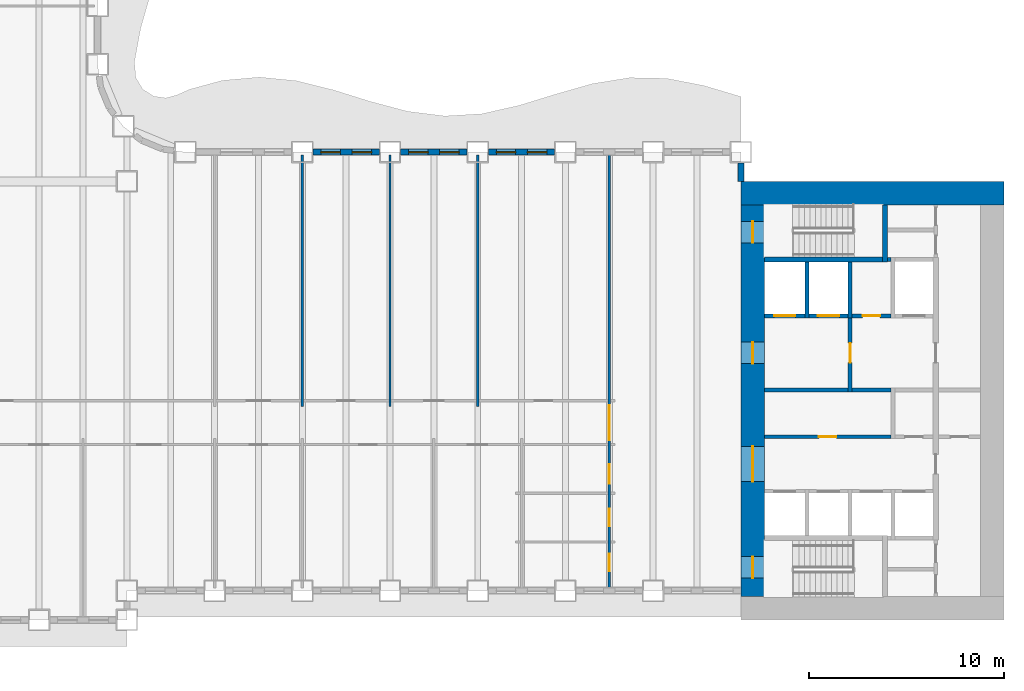
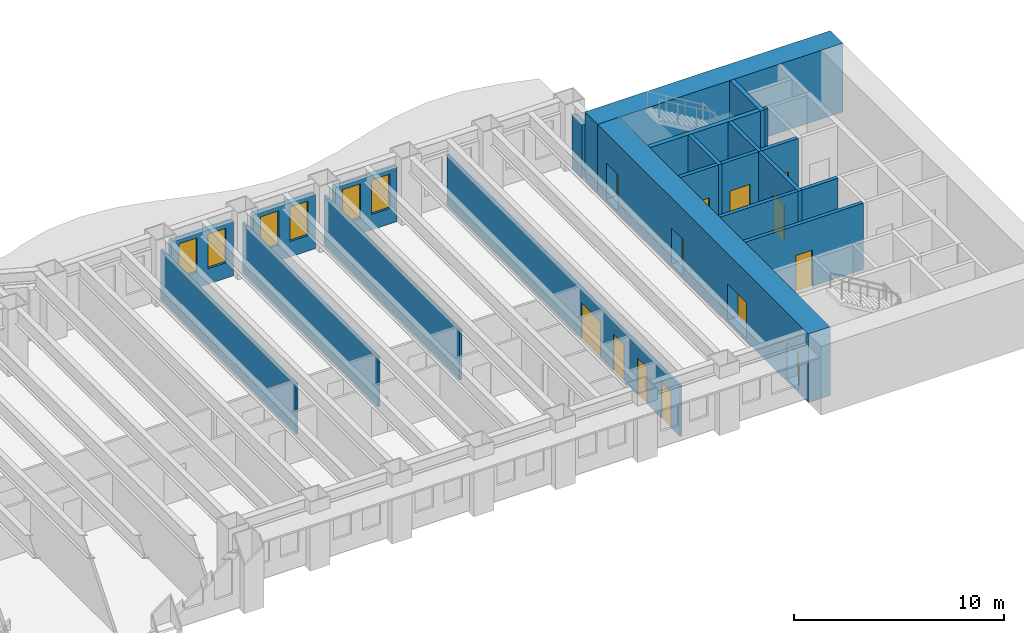
# One storey, part 6 of 16: 22 walls, 13 doors, 6 windows, 19 openings.
"""IFC4 building model written with IfcOpenShell, lengths in metres."""

from ifc_helpers import new_model, si_unit, direction, frame, frame_2d, origin, place, context, subcontext, project, spatial, rectangle, extrude, material, layer, layer_set, type_object, element, fill, save


model = new_model("IFC4")

# Units and contexts
model_context = context("Model", 3, precision=1e-05, world=origin(), true_north=direction((0.0, 1.0)))
body_context = subcontext(model_context, "Body", "Model", "MODEL_VIEW")
ifc_project = project(units=[si_unit("LENGTHUNIT", "METRE"), si_unit("AREAUNIT", "SQUARE_METRE"), si_unit("VOLUMEUNIT", "CUBIC_METRE"), si_unit("PLANEANGLEUNIT", "RADIAN"), si_unit("MASSUNIT", "GRAM", prefix="KILO")], contexts=[model_context])

# Site, building, storey
site_placement = place(None, origin())
site = spatial("IfcSite", under=ifc_project, at=site_placement, CompositionType="ELEMENT")
building_placement = place(site_placement, origin())
building = spatial("IfcBuilding", under=site, at=building_placement, Name="Sennacour Bend Tower", CompositionType="ELEMENT")
storey_placement = place(building_placement, frame((0.0, 0.0, 69.0)))
storey = spatial("IfcBuildingStorey", under=building, at=storey_placement, Name="L15", CompositionType="ELEMENT", Elevation=69.0)

# Wall
ifc_material_1 = material(Name="Concrete C80/95", Category="concrete")
ifc_layer_1 = layer(ifc_material_1, 1.199951171875, Name="Concrete C80/95", Category="concrete")
ifc_layer_set_1 = layer_set([ifc_layer_1], Name="Concrete C80/95")
wall_type_1 = type_object("IfcWallType", Name="Core wall 1200 C80/95", PredefinedType="SHEAR", material=ifc_layer_set_1)
wall_1_placement = place(storey_placement, frame((54.0, 21.89990234375, -0.14990234375), z_axis=(0.0, 0.0, 1.0), x_axis=(1.0, 0.0, 0.0)))
element("IfcWall", 1, at=wall_1_placement, inside=storey, type_object=wall_type_1, Name="Core A wall L15 N", PredefinedType="SHEAR", context=body_context, shape_type="SweptSolid", body=[
    extrude(rectangle(XDim=13.5, YDim=1.199951171875, at=frame_2d((6.75, 0.0))), origin(), (0.0, 0.0, 1.0), 4.0),
])

# Wall, openings, doors
wall_2_placement = place(storey_placement, frame((54.60009765625, 1.199951171875, -0.14990234375), z_axis=(0.0, 0.0, 1.0), x_axis=(0.0, 1.0, 0.0)))
wall_2 = element("IfcWall", 2, at=wall_2_placement, inside=storey, type_object=wall_type_1, Name="Core A wall L15 W", PredefinedType="SHEAR", context=body_context, shape_type="SweptSolid", body=[
    extrude(rectangle(XDim=20.10009765625, YDim=1.199951171875, at=frame_2d((10.050048828125, 0.0))), origin(), (0.0, 0.0, 1.0), 4.0),
])
opening_1_placement = place(wall_2_placement, frame((5.89990234375, 0.0, 0.14990234375)))
opening_1 = element("IfcOpeningElement", 3, at=opening_1_placement, cuts=wall_2, Name="Opening CD", PredefinedType="OPENING", context=body_context, shape_type="SweptSolid", body=[
    extrude(rectangle(XDim=1.800048828125, YDim=2.10009765625, at=frame_2d((0.89990234375, 1.050048828125))), frame((0.0, 0.60986328125, 0.0), z_axis=(0.0, -1.0, 0.0), x_axis=(1.0, 0.0, 0.0)), (0.0, 0.0, 1.0), 1.219970703125),
])
opening_2_placement = place(wall_2_placement, frame((11.949951171875, 0.0, 0.14990234375)))
opening_2 = element("IfcOpeningElement", 4, at=opening_2_placement, cuts=wall_2, Name="Opening FD", PredefinedType="OPENING", context=body_context, shape_type="SweptSolid", body=[
    extrude(rectangle(XDim=1.10009765625, YDim=2.10009765625, at=frame_2d((0.550048828125, 1.050048828125))), frame((0.0, 0.60986328125, 0.0), z_axis=(0.0, -1.0, 0.0), x_axis=(1.0, 0.0, 0.0)), (0.0, 0.0, 1.0), 1.219970703125),
])
opening_3_placement = place(wall_2_placement, frame((0.949951171875, 0.0, 0.14990234375)))
opening_3 = element("IfcOpeningElement", 5, at=opening_3_placement, cuts=wall_2, Name="Opening SD", PredefinedType="OPENING", context=body_context, shape_type="SweptSolid", body=[
    extrude(rectangle(XDim=1.10009765625, YDim=2.10009765625, at=frame_2d((0.550048828125, 1.050048828125))), frame((0.0, 0.60986328125, 0.0), z_axis=(0.0, -1.0, 0.0), x_axis=(1.0, 0.0, 0.0)), (0.0, 0.0, 1.0), 1.219970703125),
])
opening_4_placement = place(wall_2_placement, frame((18.14990234375, 0.0, 0.14990234375)))
opening_4 = element("IfcOpeningElement", 6, at=opening_4_placement, cuts=wall_2, Name="Opening SD", PredefinedType="OPENING", context=body_context, shape_type="SweptSolid", body=[
    extrude(rectangle(XDim=1.10009765625, YDim=2.10009765625, at=frame_2d((0.550048828125, 1.050048828125))), frame((0.0, 0.60986328125, 0.0), z_axis=(0.0, -1.0, 0.0), x_axis=(1.0, 0.0, 0.0)), (0.0, 0.0, 1.0), 1.219970703125),
])
ifc_material_2 = material(Name="Painted steel", Category="steel")
door_type_1 = type_object("IfcDoorType", Name="DR-FFL-1100", OperationType="NOTDEFINED", PredefinedType="DOOR", material=ifc_material_2)
door_1_placement = place(opening_2_placement, origin())
door_1 = element("IfcDoor", 7, at=door_1_placement, inside=storey, type_object=door_type_1, Name="Door", OperationType="SINGLE_SWING_RIGHT", OverallHeight=2.10009765625, OverallWidth=1.10009765625, PredefinedType="DOOR", context=body_context, shape_type="SweptSolid", body=[
    extrude(rectangle(XDim=1.10009765625, YDim=2.10009765625, at=frame_2d((0.550048828125, 1.050048828125))), frame((0.0, 0.02490234375, 0.0), z_axis=(0.0, -1.0, 0.0), x_axis=(1.0, 0.0, 0.0)), (0.0, 0.0, 1.0), 0.050048828125),
])
fill(opening_2, door_1)
door_type_2 = type_object("IfcDoorType", Name="DR-LOBBY-1800", OperationType="NOTDEFINED", PredefinedType="DOOR", material=ifc_material_2)
door_2_placement = place(opening_1_placement, origin())
door_2 = element("IfcDoor", 8, at=door_2_placement, inside=storey, type_object=door_type_2, Name="Door", OperationType="DOUBLE_DOOR_SINGLE_SWING", OverallHeight=2.10009765625, OverallWidth=1.800048828125, PredefinedType="DOOR", context=body_context, shape_type="SweptSolid", body=[
    extrude(rectangle(XDim=1.800048828125, YDim=2.10009765625, at=frame_2d((0.89990234375, 1.050048828125))), frame((0.0, 0.02490234375, 0.0), z_axis=(0.0, -1.0, 0.0), x_axis=(1.0, 0.0, 0.0)), (0.0, 0.0, 1.0), 0.050048828125),
])
fill(opening_1, door_2)
door_type_3 = type_object("IfcDoorType", Name="DR-STAIR-1100", OperationType="NOTDEFINED", PredefinedType="DOOR", material=ifc_material_2)
door_3_placement = place(opening_3_placement, origin())
door_3 = element("IfcDoor", 9, at=door_3_placement, inside=storey, type_object=door_type_3, Name="Door", OperationType="SINGLE_SWING_LEFT", OverallHeight=2.10009765625, OverallWidth=1.10009765625, PredefinedType="DOOR", context=body_context, shape_type="SweptSolid", body=[
    extrude(rectangle(XDim=1.10009765625, YDim=2.10009765625, at=frame_2d((0.550048828125, 1.050048828125))), frame((0.0, 0.02490234375, 0.0), z_axis=(0.0, -1.0, 0.0), x_axis=(1.0, 0.0, 0.0)), (0.0, 0.0, 1.0), 0.050048828125),
])
fill(opening_3, door_3)
door_4_placement = place(opening_4_placement, origin())
door_4 = element("IfcDoor", 10, at=door_4_placement, inside=storey, type_object=door_type_3, Name="Door", OperationType="SINGLE_SWING_RIGHT", OverallHeight=2.10009765625, OverallWidth=1.10009765625, PredefinedType="DOOR", context=body_context, shape_type="SweptSolid", body=[
    extrude(rectangle(XDim=1.10009765625, YDim=2.10009765625, at=frame_2d((0.550048828125, 1.050048828125))), frame((0.0, 0.02490234375, 0.0), z_axis=(0.0, -1.0, 0.0), x_axis=(1.0, 0.0, 0.0)), (0.0, 0.0, 1.0), 0.050048828125),
])
fill(opening_4, door_4)

# Walls
ifc_material_3 = material(Name="Plasterboard partition on steel studs", Category="steel")
ifc_layer_2 = layer(ifc_material_3, 0.1201171875, Name="Plasterboard partition on steel studs", Category="steel")
ifc_layer_set_2 = layer_set([ifc_layer_2], Name="Plasterboard partition on steel studs")
wall_type_2 = type_object("IfcWallType", Name="Partition 120", PredefinedType="PARTITIONING", material=ifc_layer_set_2)
for number, where, z_axis, x_axis, name in (
    (11, (31.5, 10.949951171875, 0.0), (0.0, 0.0, 1.0), (0.0, 1.0, 0.0), "P-L15-W029a"),
    (12, (36.0, 10.949951171875, 0.0), (0.0, 0.0, 1.0), (0.0, 1.0, 0.0), "P-L15-W030a"),
    (13, (40.5, 10.949951171875, 0.0), (0.0, 0.0, 1.0), (0.0, 1.0, 0.0), "P-L15-W032a"),
):
    element("IfcWall", number, at=place(storey_placement, frame(where, z_axis=z_axis, x_axis=x_axis)), inside=storey, type_object=wall_type_2, Name=name, PredefinedType="PARTITIONING", context=body_context, shape_type="SweptSolid", body=[
        extrude(rectangle(XDim=12.900146484375, YDim=0.1201171875, at=frame_2d((6.4501953125, 0.0))), origin(), (0.0, 0.0, 1.0), 2.93798828125),
    ])

# Wall, openings, doors
ifc_layer_3 = layer(ifc_material_3, 0.1201171875, Name="Plasterboard partition on steel studs", Category="steel")
ifc_layer_set_3 = layer_set([ifc_layer_3], Name="Plasterboard partition on steel studs")
wall_type_3 = type_object("IfcWallType", Name="Partition 120 EI 30", PredefinedType="PARTITIONING", material=ifc_layer_set_3)
wall_3_placement = place(storey_placement, frame((47.25, 1.64990234375, 0.0), z_axis=(0.0, 0.0, 1.0), x_axis=(0.0, 1.0, 0.0)))
wall_3 = element("IfcWall", 14, at=wall_3_placement, inside=storey, type_object=wall_type_3, Name="P-L15-W034a", PredefinedType="PARTITIONING", context=body_context, shape_type="SweptSolid", body=[
    extrude(rectangle(XDim=22.2001953125, YDim=0.1201171875, at=frame_2d((11.10009765625, 0.0))), origin(), (0.0, 0.0, 1.0), 2.93798828125),
])
opening_5_placement = place(wall_3_placement, frame((7.5751953125, 0.0, 0.0)))
opening_5 = element("IfcOpeningElement", 15, at=opening_5_placement, cuts=wall_3, Name="Opening KD3", PredefinedType="OPENING", context=body_context, shape_type="SweptSolid", body=[
    extrude(rectangle(XDim=1.800048828125, YDim=2.10009765625, at=frame_2d((0.89990234375, 1.050048828125))), frame((0.0, 0.070068359375, 0.0), z_axis=(0.0, -1.0, 0.0), x_axis=(1.0, 0.0, 0.0)), (0.0, 0.0, 1.0), 0.14013671875),
])
opening_6_placement = place(wall_3_placement, frame((0.85009765625, 0.0, 0.0)))
opening_6 = element("IfcOpeningElement", 16, at=opening_6_placement, cuts=wall_3, Name="Opening WD", PredefinedType="OPENING", context=body_context, shape_type="SweptSolid", body=[
    extrude(rectangle(XDim=0.89990234375, YDim=2.10009765625, at=frame_2d((0.449951171875, 1.050048828125))), frame((0.0, 0.070068359375, 0.0), z_axis=(0.0, -1.0, 0.0), x_axis=(1.0, 0.0, 0.0)), (0.0, 0.0, 1.0), 0.14013671875),
])
opening_7_placement = place(wall_3_placement, frame((3.150146484375, 0.0, 0.0)))
opening_7 = element("IfcOpeningElement", 17, at=opening_7_placement, cuts=wall_3, Name="Opening WD", PredefinedType="OPENING", context=body_context, shape_type="SweptSolid", body=[
    extrude(rectangle(XDim=0.89990234375, YDim=2.10009765625, at=frame_2d((0.449951171875, 1.050048828125))), frame((0.0, 0.070068359375, 0.0), z_axis=(0.0, -1.0, 0.0), x_axis=(1.0, 0.0, 0.0)), (0.0, 0.0, 1.0), 0.14013671875),
])
opening_8_placement = place(wall_3_placement, frame((5.35009765625, 0.0, 0.0)))
opening_8 = element("IfcOpeningElement", 18, at=opening_8_placement, cuts=wall_3, Name="Opening AD", PredefinedType="OPENING", context=body_context, shape_type="SweptSolid", body=[
    extrude(rectangle(XDim=1.0, YDim=2.10009765625, at=frame_2d((0.5, 1.050048828125))), frame((0.0, 0.070068359375, 0.0), z_axis=(0.0, -1.0, 0.0), x_axis=(1.0, 0.0, 0.0)), (0.0, 0.0, 1.0), 0.14013671875),
])
ifc_material_4 = material(Name="Timber", Category="wood")
door_type_4 = type_object("IfcDoorType", Name="DR-ACC-WC-1000", OperationType="NOTDEFINED", PredefinedType="DOOR", material=ifc_material_4)
door_5_placement = place(opening_8_placement, origin())
door_5 = element("IfcDoor", 19, at=door_5_placement, inside=storey, type_object=door_type_4, Name="Door", OperationType="SINGLE_SWING_LEFT", OverallHeight=2.10009765625, OverallWidth=1.0, PredefinedType="DOOR", context=body_context, shape_type="SweptSolid", body=[
    extrude(rectangle(XDim=1.0, YDim=2.10009765625, at=frame_2d((0.5, 1.050048828125))), frame((0.0, 0.02490234375, 0.0), z_axis=(0.0, -1.0, 0.0), x_axis=(1.0, 0.0, 0.0)), (0.0, 0.0, 1.0), 0.050048828125),
])
fill(opening_8, door_5)
door_type_5 = type_object("IfcDoorType", Name="DR-CORRIDOR-1800", OperationType="NOTDEFINED", PredefinedType="DOOR", material=ifc_material_2)
door_6_placement = place(opening_5_placement, origin())
door_6 = element("IfcDoor", 20, at=door_6_placement, inside=storey, type_object=door_type_5, Name="Door", OperationType="DOUBLE_DOOR_SINGLE_SWING", OverallHeight=2.10009765625, OverallWidth=1.800048828125, PredefinedType="DOOR", context=body_context, shape_type="SweptSolid", body=[
    extrude(rectangle(XDim=1.800048828125, YDim=2.10009765625, at=frame_2d((0.89990234375, 1.050048828125))), frame((0.0, 0.02490234375, 0.0), z_axis=(0.0, -1.0, 0.0), x_axis=(1.0, 0.0, 0.0)), (0.0, 0.0, 1.0), 0.050048828125),
])
fill(opening_5, door_6)
door_type_6 = type_object("IfcDoorType", Name="DR-WC-900", OperationType="NOTDEFINED", PredefinedType="DOOR", material=ifc_material_4)
door_7_placement = place(opening_6_placement, origin())
door_7 = element("IfcDoor", 21, at=door_7_placement, inside=storey, type_object=door_type_6, Name="Door", OperationType="SINGLE_SWING_LEFT", OverallHeight=2.10009765625, OverallWidth=0.89990234375, PredefinedType="DOOR", context=body_context, shape_type="SweptSolid", body=[
    extrude(rectangle(XDim=0.89990234375, YDim=2.10009765625, at=frame_2d((0.449951171875, 1.050048828125))), frame((0.0, 0.02490234375, 0.0), z_axis=(0.0, -1.0, 0.0), x_axis=(1.0, 0.0, 0.0)), (0.0, 0.0, 1.0), 0.050048828125),
])
fill(opening_6, door_7)
door_8_placement = place(opening_7_placement, origin())
door_8 = element("IfcDoor", 22, at=door_8_placement, inside=storey, type_object=door_type_6, Name="Door", OperationType="SINGLE_SWING_LEFT", OverallHeight=2.10009765625, OverallWidth=0.89990234375, PredefinedType="DOOR", context=body_context, shape_type="SweptSolid", body=[
    extrude(rectangle(XDim=0.89990234375, YDim=2.10009765625, at=frame_2d((0.449951171875, 1.050048828125))), frame((0.0, 0.02490234375, 0.0), z_axis=(0.0, -1.0, 0.0), x_axis=(1.0, 0.0, 0.0)), (0.0, 0.0, 1.0), 0.050048828125),
])
fill(opening_7, door_8)

# Wall, opening, door
ifc_material_5 = material(Name="Fire-rated plasterboard partition on steel studs", Category="steel")
ifc_layer_4 = layer(ifc_material_5, 0.199951171875, Name="Fire-rated plasterboard partition on steel studs", Category="steel")
ifc_layer_set_4 = layer_set([ifc_layer_4], Name="Fire-rated plasterboard partition on steel studs")
wall_type_4 = type_object("IfcWallType", Name="Rated partition 200", PredefinedType="PARTITIONING", material=ifc_layer_set_4)
wall_4_placement = place(storey_placement, frame((55.199951171875, 9.39990234375, 0.0), z_axis=(0.0, 0.0, 1.0), x_axis=(1.0, 0.0, 0.0)))
wall_4 = element("IfcWall", 23, at=wall_4_placement, inside=storey, type_object=wall_type_4, Name="P-L15-W062a", PredefinedType="PARTITIONING", context=body_context, shape_type="SweptSolid", body=[
    extrude(rectangle(XDim=6.5, YDim=0.199951171875, at=frame_2d((3.25, 0.0))), origin(), (0.0, 0.0, 1.0), 3.85009765625),
])
opening_9_placement = place(wall_4_placement, frame((2.800048828125, 0.0, 0.0)))
opening_9 = element("IfcOpeningElement", 24, at=opening_9_placement, cuts=wall_4, Name="Opening SV", PredefinedType="OPENING", context=body_context, shape_type="SweptSolid", body=[
    extrude(rectangle(XDim=0.89990234375, YDim=2.10009765625, at=frame_2d((0.449951171875, 1.050048828125))), frame((0.0, 0.10986328125, 0.0), z_axis=(0.0, -1.0, 0.0), x_axis=(1.0, 0.0, 0.0)), (0.0, 0.0, 1.0), 0.219970703125),
])
door_type_7 = type_object("IfcDoorType", Name="DR-SERVICE-900", OperationType="NOTDEFINED", PredefinedType="DOOR", material=ifc_material_2)
door_9_placement = place(opening_9_placement, origin())
door_9 = element("IfcDoor", 25, at=door_9_placement, inside=storey, type_object=door_type_7, Name="Door", OperationType="SINGLE_SWING_LEFT", OverallHeight=2.10009765625, OverallWidth=0.89990234375, PredefinedType="DOOR", context=body_context, shape_type="SweptSolid", body=[
    extrude(rectangle(XDim=0.89990234375, YDim=2.10009765625, at=frame_2d((0.449951171875, 1.050048828125))), frame((0.0, 0.02490234375, 0.0), z_axis=(0.0, -1.0, 0.0), x_axis=(1.0, 0.0, 0.0)), (0.0, 0.0, 1.0), 0.050048828125),
])
fill(opening_9, door_9)

# Walls
wall_5_placement = place(storey_placement, frame((55.199951171875, 11.800048828125, 0.0), z_axis=(0.0, 0.0, 1.0), x_axis=(1.0, 0.0, 0.0)))
element("IfcWall", 26, at=wall_5_placement, inside=storey, type_object=wall_type_4, Name="P-L15-W064a", PredefinedType="PARTITIONING", context=body_context, shape_type="SweptSolid", body=[
    extrude(rectangle(XDim=4.300048828125, YDim=0.199951171875, at=frame_2d((2.14990234375, 0.0))), origin(), (0.0, 0.0, 1.0), 3.85009765625),
])
wall_6_placement = place(storey_placement, frame((59.699951171875, 11.800048828125, 0.0), z_axis=(0.0, 0.0, 1.0), x_axis=(1.0, 0.0, 0.0)))
element("IfcWall", 27, at=wall_6_placement, inside=storey, type_object=wall_type_4, Name="P-L15-W064b", PredefinedType="PARTITIONING", context=body_context, shape_type="SweptSolid", body=[
    extrude(rectangle(XDim=2.0, YDim=0.199951171875, at=frame_2d((1.0, 0.0))), origin(), (0.0, 0.0, 1.0), 3.85009765625),
])

# Wall, opening, door
wall_7_placement = place(storey_placement, frame((59.699951171875, 15.60009765625, 0.0), z_axis=(0.0, 0.0, 1.0), x_axis=(1.0, 0.0, 0.0)))
wall_7 = element("IfcWall", 28, at=wall_7_placement, inside=storey, type_object=wall_type_4, Name="P-L15-W066", PredefinedType="PARTITIONING", context=body_context, shape_type="SweptSolid", body=[
    extrude(rectangle(XDim=2.0, YDim=0.199951171875, at=frame_2d((1.0, 0.0))), origin(), (0.0, 0.0, 1.0), 3.85009765625),
])
opening_10_placement = place(wall_7_placement, frame((0.550048828125, 0.0, 0.0)))
opening_10 = element("IfcOpeningElement", 29, at=opening_10_placement, cuts=wall_7, Name="Opening SV", PredefinedType="OPENING", context=body_context, shape_type="SweptSolid", body=[
    extrude(rectangle(XDim=0.89990234375, YDim=2.10009765625, at=frame_2d((0.449951171875, 1.050048828125))), frame((0.0, 0.10986328125, 0.0), z_axis=(0.0, -1.0, 0.0), x_axis=(1.0, 0.0, 0.0)), (0.0, 0.0, 1.0), 0.219970703125),
])
door_10_placement = place(opening_10_placement, origin())
door_10 = element("IfcDoor", 30, at=door_10_placement, inside=storey, type_object=door_type_7, Name="Door", OperationType="SINGLE_SWING_RIGHT", OverallHeight=2.10009765625, OverallWidth=0.89990234375, PredefinedType="DOOR", context=body_context, shape_type="SweptSolid", body=[
    extrude(rectangle(XDim=0.89990234375, YDim=2.10009765625, at=frame_2d((0.449951171875, 1.050048828125))), frame((0.0, 0.02490234375, 0.0), z_axis=(0.0, -1.0, 0.0), x_axis=(1.0, 0.0, 0.0)), (0.0, 0.0, 1.0), 0.050048828125),
])
fill(opening_10, door_10)

# Wall
wall_8_placement = place(storey_placement, frame((61.52490234375, 18.5, 0.0), z_axis=(0.0, 0.0, 1.0), x_axis=(1.0, 0.0, 0.0)))
element("IfcWall", 31, at=wall_8_placement, inside=storey, type_object=wall_type_4, Name="P-L15-W069", PredefinedType="PARTITIONING", context=body_context, shape_type="SweptSolid", body=[
    extrude(rectangle(XDim=0.175048828125, YDim=0.199951171875, at=frame_2d((0.08740234375, 0.0))), origin(), (0.0, 0.0, 1.0), 3.85009765625),
])

# Wall, opening, door
ifc_layer_5 = layer(ifc_material_5, 0.199951171875, Name="Fire-rated plasterboard partition on steel studs", Category="steel")
ifc_layer_set_5 = layer_set([ifc_layer_5], Name="Fire-rated plasterboard partition on steel studs")
wall_type_5 = type_object("IfcWallType", Name="Rated partition 200 EI 90", PredefinedType="PARTITIONING", material=ifc_layer_set_5)
wall_9_placement = place(storey_placement, frame((59.60009765625, 11.699951171875, 0.0), z_axis=(0.0, 0.0, 1.0), x_axis=(0.0, 1.0, 0.0)))
wall_9 = element("IfcWall", 32, at=wall_9_placement, inside=storey, type_object=wall_type_5, Name="P-L15-W039", PredefinedType="PARTITIONING", context=body_context, shape_type="SweptSolid", body=[
    extrude(rectangle(XDim=3.800048828125, YDim=0.199951171875, at=frame_2d((1.89990234375, 0.0))), origin(), (0.0, 0.0, 1.0), 3.85009765625),
])
opening_11_placement = place(wall_9_placement, frame((1.5, 0.0, 0.0)))
opening_11 = element("IfcOpeningElement", 33, at=opening_11_placement, cuts=wall_9, Name="Opening FD2", PredefinedType="OPENING", context=body_context, shape_type="SweptSolid", body=[
    extrude(rectangle(XDim=1.0, YDim=2.10009765625, at=frame_2d((0.5, 1.050048828125))), frame((0.0, 0.10986328125, 0.0), z_axis=(0.0, -1.0, 0.0), x_axis=(1.0, 0.0, 0.0)), (0.0, 0.0, 1.0), 0.219970703125),
])
door_type_8 = type_object("IfcDoorType", Name="DR-FFL-1000", OperationType="NOTDEFINED", PredefinedType="DOOR", material=ifc_material_2)
door_11_placement = place(opening_11_placement, origin())
door_11 = element("IfcDoor", 34, at=door_11_placement, inside=storey, type_object=door_type_8, Name="Door", OperationType="SINGLE_SWING_RIGHT", OverallHeight=2.10009765625, OverallWidth=1.0, PredefinedType="DOOR", context=body_context, shape_type="SweptSolid", body=[
    extrude(rectangle(XDim=1.0, YDim=2.10009765625, at=frame_2d((0.5, 1.050048828125))), frame((0.0, 0.02490234375, 0.0), z_axis=(0.0, -1.0, 0.0), x_axis=(1.0, 0.0, 0.0)), (0.0, 0.0, 1.0), 0.050048828125),
])
fill(opening_11, door_11)

# Wall
ifc_material_6 = material(Name="Warm limestone cladding", Category="masonry")
ifc_layer_6 = layer(ifc_material_6, 0.050048828125, Name="Warm limestone cladding", Category="masonry")
ifc_material_7 = material(Name="Precast concrete C40/50", Category="concrete")
ifc_layer_7 = layer(ifc_material_7, 0.25, Name="Precast concrete C40/50", Category="concrete")
ifc_layer_set_6 = layer_set([ifc_layer_6, ifc_layer_7], Name="Precast concrete C40/50 with limestone cladding")
wall_type_6 = type_object("IfcWallType", Name="STONE-CLAD PRECAST SPANDREL 300", PredefinedType="STANDARD", material=ifc_layer_set_6)
wall_10_placement = place(storey_placement, frame((54.0, 22.5, 0.0), z_axis=(0.0, 0.0, 1.0), x_axis=(0.0, 1.0, 0.0)))
element("IfcWall", 35, at=wall_10_placement, inside=storey, type_object=wall_type_6, Name="Stone spandrel and pier wall L15 07.00", PredefinedType="STANDARD", context=body_context, shape_type="SweptSolid", body=[
    extrude(rectangle(XDim=0.949951171875, YDim=0.300048828125, at=frame_2d((0.47509765625, 0.0))), origin(), (0.0, 0.0, 1.0), 3.14404296875),
])

# Wall, openings, windows
wall_11_placement = place(storey_placement, frame((44.449951171875, 24.0, 0.0), z_axis=(0.0, 0.0, 1.0), x_axis=(-1.0, 0.0, 0.0)))
wall_11 = element("IfcWall", 36, at=wall_11_placement, inside=storey, type_object=wall_type_6, Name="Stone spandrel and pier wall L15 08.02", PredefinedType="STANDARD", context=body_context, shape_type="SweptSolid", body=[
    extrude(rectangle(XDim=3.39990234375, YDim=0.300048828125, at=frame_2d((1.699951171875, 0.0))), origin(), (0.0, 0.0, 1.0), 3.14404296875),
])
opening_12_placement = place(wall_11_placement, frame((0.39990234375, 0.0, 0.89990234375)))
opening_12 = element("IfcOpeningElement", 37, at=opening_12_placement, cuts=wall_11, Name="Opening W8", PredefinedType="OPENING", context=body_context, shape_type="SweptSolid", body=[
    extrude(rectangle(XDim=1.0, YDim=2.0, at=frame_2d((0.5, 1.0))), frame((0.0, 0.16015625, 0.0), z_axis=(0.0, -1.0, 0.0), x_axis=(1.0, 0.0, 0.0)), (0.0, 0.0, 1.0), 0.320068359375),
])
opening_13_placement = place(wall_11_placement, frame((2.0, 0.0, 0.89990234375)))
opening_13 = element("IfcOpeningElement", 38, at=opening_13_placement, cuts=wall_11, Name="Opening W8", PredefinedType="OPENING", context=body_context, shape_type="SweptSolid", body=[
    extrude(rectangle(XDim=1.0, YDim=2.0, at=frame_2d((0.5, 1.0))), frame((0.0, 0.16015625, 0.0), z_axis=(0.0, -1.0, 0.0), x_axis=(1.0, 0.0, 0.0)), (0.0, 0.0, 1.0), 0.320068359375),
])
ifc_material_8 = material(Name="Clear low-emissivity glass", Category="glass")
window_type = type_object("IfcWindowType", Name="WIN-RIBBON-1000x2000", PartitioningType="SINGLE_PANEL", PredefinedType="WINDOW", material=ifc_material_8)
window_1_placement = place(opening_12_placement, origin())
window_1 = element("IfcWindow", 39, at=window_1_placement, inside=storey, type_object=window_type, Name="Ribbon window L15 08.02.0", OverallHeight=2.0, OverallWidth=1.0, PartitioningType="SINGLE_PANEL", PredefinedType="WINDOW", context=body_context, shape_type="SweptSolid", body=[
    extrude(rectangle(XDim=1.0, YDim=2.0, at=frame_2d((0.5, 1.0))), frame((0.0, 0.030029296875, 0.0), z_axis=(0.0, -1.0, 0.0), x_axis=(1.0, 0.0, 0.0)), (0.0, 0.0, 1.0), 0.06005859375),
])
fill(opening_12, window_1)
window_2_placement = place(opening_13_placement, origin())
window_2 = element("IfcWindow", 40, at=window_2_placement, inside=storey, type_object=window_type, Name="Ribbon window L15 08.02.1", OverallHeight=2.0, OverallWidth=1.0, PartitioningType="SINGLE_PANEL", PredefinedType="WINDOW", context=body_context, shape_type="SweptSolid", body=[
    extrude(rectangle(XDim=1.0, YDim=2.0, at=frame_2d((0.5, 1.0))), frame((0.0, 0.030029296875, 0.0), z_axis=(0.0, -1.0, 0.0), x_axis=(1.0, 0.0, 0.0)), (0.0, 0.0, 1.0), 0.06005859375),
])
fill(opening_13, window_2)

wall_12_placement = place(storey_placement, frame((39.949951171875, 24.0, 0.0), z_axis=(0.0, 0.0, 1.0), x_axis=(-1.0, 0.0, 0.0)))
wall_12 = element("IfcWall", 41, at=wall_12_placement, inside=storey, type_object=wall_type_6, Name="Stone spandrel and pier wall L15 08.03", PredefinedType="STANDARD", context=body_context, shape_type="SweptSolid", body=[
    extrude(rectangle(XDim=3.39990234375, YDim=0.300048828125, at=frame_2d((1.699951171875, 0.0))), origin(), (0.0, 0.0, 1.0), 3.14404296875),
])
opening_14_placement = place(wall_12_placement, frame((0.39990234375, 0.0, 0.89990234375)))
opening_14 = element("IfcOpeningElement", 42, at=opening_14_placement, cuts=wall_12, Name="Opening W8", PredefinedType="OPENING", context=body_context, shape_type="SweptSolid", body=[
    extrude(rectangle(XDim=1.0, YDim=2.0, at=frame_2d((0.5, 1.0))), frame((0.0, 0.16015625, 0.0), z_axis=(0.0, -1.0, 0.0), x_axis=(1.0, 0.0, 0.0)), (0.0, 0.0, 1.0), 0.320068359375),
])
opening_15_placement = place(wall_12_placement, frame((2.0, 0.0, 0.89990234375)))
opening_15 = element("IfcOpeningElement", 43, at=opening_15_placement, cuts=wall_12, Name="Opening W8", PredefinedType="OPENING", context=body_context, shape_type="SweptSolid", body=[
    extrude(rectangle(XDim=1.0, YDim=2.0, at=frame_2d((0.5, 1.0))), frame((0.0, 0.16015625, 0.0), z_axis=(0.0, -1.0, 0.0), x_axis=(1.0, 0.0, 0.0)), (0.0, 0.0, 1.0), 0.320068359375),
])
window_3_placement = place(opening_14_placement, origin())
window_3 = element("IfcWindow", 44, at=window_3_placement, inside=storey, type_object=window_type, Name="Ribbon window L15 08.03.0", OverallHeight=2.0, OverallWidth=1.0, PartitioningType="SINGLE_PANEL", PredefinedType="WINDOW", context=body_context, shape_type="SweptSolid", body=[
    extrude(rectangle(XDim=1.0, YDim=2.0, at=frame_2d((0.5, 1.0))), frame((0.0, 0.030029296875, 0.0), z_axis=(0.0, -1.0, 0.0), x_axis=(1.0, 0.0, 0.0)), (0.0, 0.0, 1.0), 0.06005859375),
])
fill(opening_14, window_3)
window_4_placement = place(opening_15_placement, origin())
window_4 = element("IfcWindow", 45, at=window_4_placement, inside=storey, type_object=window_type, Name="Ribbon window L15 08.03.1", OverallHeight=2.0, OverallWidth=1.0, PartitioningType="SINGLE_PANEL", PredefinedType="WINDOW", context=body_context, shape_type="SweptSolid", body=[
    extrude(rectangle(XDim=1.0, YDim=2.0, at=frame_2d((0.5, 1.0))), frame((0.0, 0.030029296875, 0.0), z_axis=(0.0, -1.0, 0.0), x_axis=(1.0, 0.0, 0.0)), (0.0, 0.0, 1.0), 0.06005859375),
])
fill(opening_15, window_4)

wall_13_placement = place(storey_placement, frame((35.449951171875, 24.0, 0.0), z_axis=(0.0, 0.0, 1.0), x_axis=(-1.0, 0.0, 0.0)))
wall_13 = element("IfcWall", 46, at=wall_13_placement, inside=storey, type_object=wall_type_6, Name="Stone spandrel and pier wall L15 08.04", PredefinedType="STANDARD", context=body_context, shape_type="SweptSolid", body=[
    extrude(rectangle(XDim=3.39990234375, YDim=0.300048828125, at=frame_2d((1.699951171875, 0.0))), origin(), (0.0, 0.0, 1.0), 3.14404296875),
])
opening_16_placement = place(wall_13_placement, frame((0.39990234375, 0.0, 0.89990234375)))
opening_16 = element("IfcOpeningElement", 47, at=opening_16_placement, cuts=wall_13, Name="Opening W8", PredefinedType="OPENING", context=body_context, shape_type="SweptSolid", body=[
    extrude(rectangle(XDim=1.0, YDim=2.0, at=frame_2d((0.5, 1.0))), frame((0.0, 0.16015625, 0.0), z_axis=(0.0, -1.0, 0.0), x_axis=(1.0, 0.0, 0.0)), (0.0, 0.0, 1.0), 0.320068359375),
])
opening_17_placement = place(wall_13_placement, frame((2.0, 0.0, 0.89990234375)))
opening_17 = element("IfcOpeningElement", 48, at=opening_17_placement, cuts=wall_13, Name="Opening W8", PredefinedType="OPENING", context=body_context, shape_type="SweptSolid", body=[
    extrude(rectangle(XDim=1.0, YDim=2.0, at=frame_2d((0.5, 1.0))), frame((0.0, 0.16015625, 0.0), z_axis=(0.0, -1.0, 0.0), x_axis=(1.0, 0.0, 0.0)), (0.0, 0.0, 1.0), 0.320068359375),
])
window_5_placement = place(opening_16_placement, origin())
window_5 = element("IfcWindow", 49, at=window_5_placement, inside=storey, type_object=window_type, Name="Ribbon window L15 08.04.0", OverallHeight=2.0, OverallWidth=1.0, PartitioningType="SINGLE_PANEL", PredefinedType="WINDOW", context=body_context, shape_type="SweptSolid", body=[
    extrude(rectangle(XDim=1.0, YDim=2.0, at=frame_2d((0.5, 1.0))), frame((0.0, 0.030029296875, 0.0), z_axis=(0.0, -1.0, 0.0), x_axis=(1.0, 0.0, 0.0)), (0.0, 0.0, 1.0), 0.06005859375),
])
fill(opening_16, window_5)
window_6_placement = place(opening_17_placement, origin())
window_6 = element("IfcWindow", 50, at=window_6_placement, inside=storey, type_object=window_type, Name="Ribbon window L15 08.04.1", OverallHeight=2.0, OverallWidth=1.0, PartitioningType="SINGLE_PANEL", PredefinedType="WINDOW", context=body_context, shape_type="SweptSolid", body=[
    extrude(rectangle(XDim=1.0, YDim=2.0, at=frame_2d((0.5, 1.0))), frame((0.0, 0.030029296875, 0.0), z_axis=(0.0, -1.0, 0.0), x_axis=(1.0, 0.0, 0.0)), (0.0, 0.0, 1.0), 0.06005859375),
])
fill(opening_17, window_6)

# Walls
ifc_material_9 = material(Name="Concrete C50/60", Category="concrete")
ifc_layer_8 = layer(ifc_material_9, 0.199951171875, Name="Concrete C50/60", Category="concrete")
ifc_layer_set_7 = layer_set([ifc_layer_8], Name="Concrete C50/60")
wall_type_7 = type_object("IfcWallType", Name="Shaft wall 200", PredefinedType="SOLIDWALL", material=ifc_layer_set_7)
for number, where, z_axis, x_axis, name in (
    (51, (57.39990234375, 15.5, 0.0), (0.0, 0.0, 1.0), (0.0, 1.0, 0.0), "P-L15-W037"),
    (52, (59.60009765625, 15.5, 0.0), (0.0, 0.0, 1.0), (0.0, 1.0, 0.0), "P-L15-W040"),
):
    element("IfcWall", number, at=place(storey_placement, frame(where, z_axis=z_axis, x_axis=x_axis)), inside=storey, type_object=wall_type_7, Name=name, PredefinedType="SOLIDWALL", context=body_context, shape_type="SweptSolid", body=[
        extrude(rectangle(XDim=2.875, YDim=0.199951171875, at=frame_2d((1.4375, 0.0))), origin(), (0.0, 0.0, 1.0), 3.85009765625),
    ])

# Wall, opening, door
wall_14_placement = place(storey_placement, frame((55.199951171875, 15.60009765625, 0.0), z_axis=(0.0, 0.0, 1.0), x_axis=(1.0, 0.0, 0.0)))
wall_14 = element("IfcWall", 53, at=wall_14_placement, inside=storey, type_object=wall_type_7, Name="P-L15-W065a", PredefinedType="SOLIDWALL", context=body_context, shape_type="SweptSolid", body=[
    extrude(rectangle(XDim=2.10009765625, YDim=0.199951171875, at=frame_2d((1.050048828125, 0.0))), origin(), (0.0, 0.0, 1.0), 3.85009765625),
])
opening_18_placement = place(wall_14_placement, frame((0.5, 0.0, 0.011962890625)))
opening_18 = element("IfcOpeningElement", 54, at=opening_18_placement, cuts=wall_14, Name="Opening FLD", PredefinedType="OPENING", context=body_context, shape_type="SweptSolid", body=[
    extrude(rectangle(XDim=1.10009765625, YDim=2.10009765625, at=frame_2d((0.550048828125, 1.050048828125))), frame((0.0, 0.10986328125, 0.0), z_axis=(0.0, -1.0, 0.0), x_axis=(1.0, 0.0, 0.0)), (0.0, 0.0, 1.0), 0.219970703125),
])
ifc_material_10 = material(Name="Stainless steel", Category="steel")
door_type_9 = type_object("IfcDoorType", Name="DR-FF-LANDING-1100", OperationType="NOTDEFINED", PredefinedType="DOOR", material=ifc_material_10)
door_12_placement = place(opening_18_placement, origin())
door_12 = element("IfcDoor", 55, at=door_12_placement, inside=storey, type_object=door_type_9, Name="Fire service lift landing door FA1", OperationType="SLIDING_TO_LEFT", OverallHeight=2.10009765625, OverallWidth=1.10009765625, PredefinedType="DOOR", context=body_context, shape_type="SweptSolid", body=[
    extrude(rectangle(XDim=1.10009765625, YDim=2.10009765625, at=frame_2d((0.550048828125, 1.050048828125))), frame((0.0, 0.02490234375, 0.0), z_axis=(0.0, -1.0, 0.0), x_axis=(1.0, 0.0, 0.0)), (0.0, 0.0, 1.0), 0.050048828125),
])
fill(opening_18, door_12)

wall_15_placement = place(storey_placement, frame((57.5, 15.60009765625, 0.0), z_axis=(0.0, 0.0, 1.0), x_axis=(1.0, 0.0, 0.0)))
wall_15 = element("IfcWall", 56, at=wall_15_placement, inside=storey, type_object=wall_type_7, Name="P-L15-W065b", PredefinedType="SOLIDWALL", context=body_context, shape_type="SweptSolid", body=[
    extrude(rectangle(XDim=2.0, YDim=0.199951171875, at=frame_2d((1.0, 0.0))), origin(), (0.0, 0.0, 1.0), 3.85009765625),
])
opening_19_placement = place(wall_15_placement, frame((0.449951171875, 0.0, 0.011962890625)))
opening_19 = element("IfcOpeningElement", 57, at=opening_19_placement, cuts=wall_15, Name="Opening FLD", PredefinedType="OPENING", context=body_context, shape_type="SweptSolid", body=[
    extrude(rectangle(XDim=1.10009765625, YDim=2.10009765625, at=frame_2d((0.550048828125, 1.050048828125))), frame((0.0, 0.10986328125, 0.0), z_axis=(0.0, -1.0, 0.0), x_axis=(1.0, 0.0, 0.0)), (0.0, 0.0, 1.0), 0.219970703125),
])
door_13_placement = place(opening_19_placement, origin())
door_13 = element("IfcDoor", 58, at=door_13_placement, inside=storey, type_object=door_type_9, Name="Fire service lift landing door FA2", OperationType="SLIDING_TO_RIGHT", OverallHeight=2.10009765625, OverallWidth=1.10009765625, PredefinedType="DOOR", context=body_context, shape_type="SweptSolid", body=[
    extrude(rectangle(XDim=1.10009765625, YDim=2.10009765625, at=frame_2d((0.550048828125, 1.050048828125))), frame((0.0, 0.02490234375, 0.0), z_axis=(0.0, -1.0, 0.0), x_axis=(1.0, 0.0, 0.0)), (0.0, 0.0, 1.0), 0.050048828125),
])
fill(opening_19, door_13)

# Walls
ifc_material_11 = material(Name="Concrete C60/75", Category="concrete")
ifc_layer_9 = layer(ifc_material_11, 0.25, Name="Concrete C60/75", Category="concrete")
ifc_layer_set_8 = layer_set([ifc_layer_9], Name="Concrete C60/75")
wall_type_8 = type_object("IfcWallType", Name="Stair wall 250", PredefinedType="SHEAR", material=ifc_layer_set_8)
wall_16_placement = place(storey_placement, frame((61.39990234375, 18.375, 0.0), z_axis=(0.0, 0.0, 1.0), x_axis=(0.0, 1.0, 0.0)))
element("IfcWall", 59, at=wall_16_placement, inside=storey, type_object=wall_type_8, Name="P-L15-W042", PredefinedType="SHEAR", context=body_context, shape_type="SweptSolid", body=[
    extrude(rectangle(XDim=2.925048828125, YDim=0.25, at=frame_2d((1.46240234375, 0.0))), origin(), (0.0, 0.0, 1.0), 3.85009765625),
])
wall_17_placement = place(storey_placement, frame((55.199951171875, 18.5, 0.0), z_axis=(0.0, 0.0, 1.0), x_axis=(1.0, 0.0, 0.0)))
element("IfcWall", 60, at=wall_17_placement, inside=storey, type_object=wall_type_8, Name="P-L15-W068", PredefinedType="SHEAR", context=body_context, shape_type="SweptSolid", body=[
    extrude(rectangle(XDim=6.074951171875, YDim=0.25, at=frame_2d((3.03759765625, 0.0))), origin(), (0.0, 0.0, 1.0), 3.85009765625),
])

save(model, "model.ifc")
